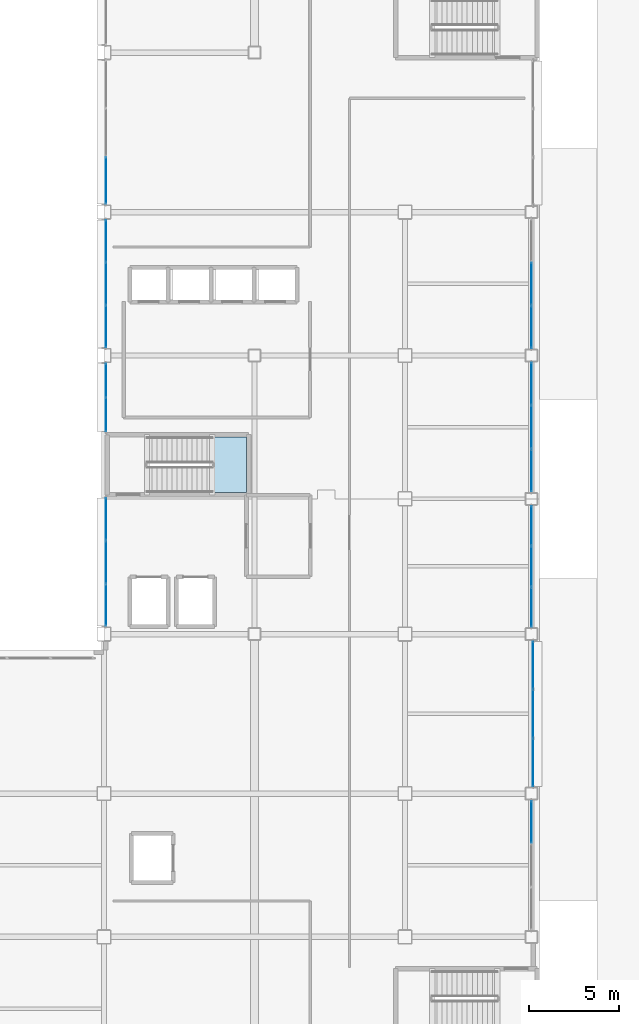
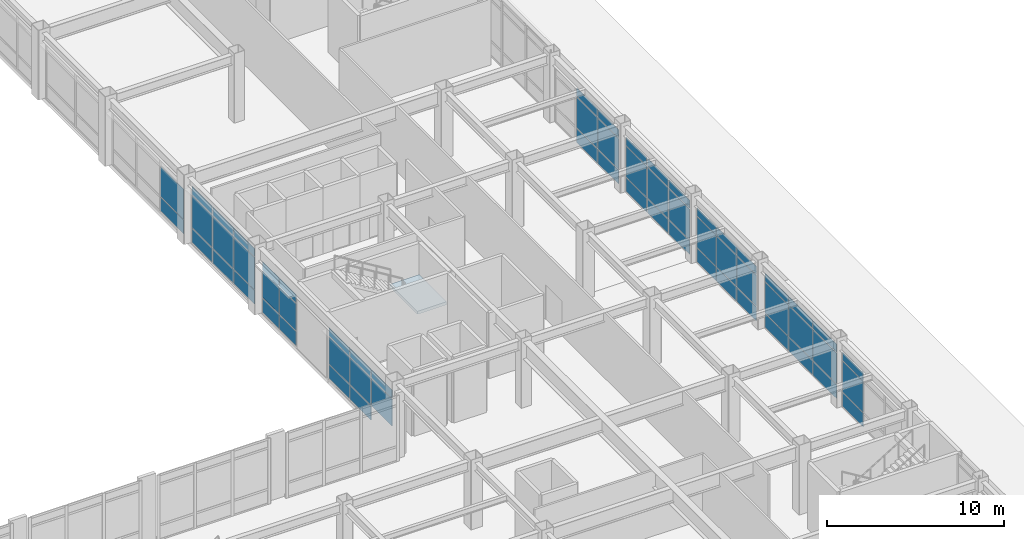
# One storey, part 136 of 172: 61 plates, 1 slab, 10 elements without a shape of their own.
"""IFC4 building model written with IfcOpenShell, lengths in metres."""

from ifc_helpers import new_model, si_unit, direction, frame, origin, origin_2d, place, context, subcontext, project, spatial, polyline, rectangle, outline, extrude, material, layer, layer_set, type_object, element, aggregate, save


model = new_model("IFC4")

# Units and contexts
model_context = context("Model", 3, precision=1e-05, world=origin(), true_north=direction((0.0, 1.0)))
body_context = subcontext(model_context, "Body", "Model", "MODEL_VIEW")
ifc_project = project(units=[si_unit("LENGTHUNIT", "METRE"), si_unit("AREAUNIT", "SQUARE_METRE"), si_unit("VOLUMEUNIT", "CUBIC_METRE"), si_unit("PLANEANGLEUNIT", "RADIAN"), si_unit("MASSUNIT", "GRAM", prefix="KILO")], contexts=[model_context])

# Site, building, storey
site_placement = place(None, origin())
site = spatial("IfcSite", under=ifc_project, at=site_placement, CompositionType="ELEMENT")
building_placement = place(site_placement, origin())
building = spatial("IfcBuilding", under=site, at=building_placement, Name="Kazehara Bluff Congress Hotel", CompositionType="ELEMENT")
storey_placement = place(building_placement, frame((0.0, 0.0, 5.39990234375)))
storey = spatial("IfcBuildingStorey", under=building, at=storey_placement, Name="L01", CompositionType="ELEMENT", Elevation=5.39990234375)

# Curtain wall, plates
ifc_material_1 = material(Name="Anodised aluminium", Category="aluminium")
ifc_layer_1 = layer(ifc_material_1, 0.159912109375)
ifc_layer_set_1 = layer_set([ifc_layer_1], Name="Anodised aluminium")
curtain_wall_type_1 = type_object("IfcCurtainWallType", Name="TP-CW-80", PredefinedType="NOTDEFINED", material=ifc_layer_set_1)
curtain_wall_1_placement = place(storey_placement, origin())
curtain_wall_1 = element("IfcCurtainWall", 1, at=curtain_wall_1_placement, inside=storey, type_object=curtain_wall_type_1, Name="L01 curtain wall CW-80 CW-V5-L01-X16755-2435", PredefinedType="NOTDEFINED")
ifc_material_2 = material(Name="Insulated low-E double glazing", Category="glass")
ifc_layer_2 = layer(ifc_material_2, 0.028076171875)
ifc_layer_set_2 = layer_set([ifc_layer_2], Name="Insulated low-E double glazing")
plate_type_1 = type_object("IfcPlateType", Name="TP-CWP-01", PredefinedType="CURTAIN_PANEL", material=ifc_layer_set_2)
plate_1_placement = place(storey_placement, frame((167.550048828125, 30.4169921875, 0.06494140625), z_axis=(0.0, 0.0, 1.0), x_axis=(0.0, 1.0, 0.0)))
plate_1 = element("IfcPlate", 2, at=plate_1_placement, type_object=plate_type_1, Name="CW-80 panel 3.1", PredefinedType="CURTAIN_PANEL", context=body_context, shape_type="SweptSolid", body=[
    extrude(rectangle(XDim=2.3359375, YDim=0.028076171875, at=origin_2d()), origin(), (0.0, 0.0, 1.0), 0.952392578125),
])
plate_2_placement = place(storey_placement, frame((167.550048828125, 30.4169921875, 1.08251953125), z_axis=(0.0, 0.0, 1.0), x_axis=(0.0, 1.0, 0.0)))
plate_2 = element("IfcPlate", 3, at=plate_2_placement, type_object=plate_type_1, Name="CW-80 panel 3.2", PredefinedType="CURTAIN_PANEL", context=body_context, shape_type="SweptSolid", body=[
    extrude(rectangle(XDim=2.3359375, YDim=0.028076171875, at=origin_2d()), origin(), (0.0, 0.0, 1.0), 2.110107421875),
])
plate_3_placement = place(storey_placement, frame((167.550048828125, 30.4169921875, 3.2578125), z_axis=(0.0, 0.0, 1.0), x_axis=(0.0, 1.0, 0.0)))
plate_3 = element("IfcPlate", 4, at=plate_3_placement, type_object=plate_type_1, Name="CW-80 panel 3.3", PredefinedType="CURTAIN_PANEL", context=body_context, shape_type="SweptSolid", body=[
    extrude(rectangle(XDim=2.3359375, YDim=0.028076171875, at=origin_2d()), origin(), (0.0, 0.0, 1.0), 0.552490234375),
])
aggregate(curtain_wall_1, [plate_1, plate_2, plate_3])

ifc_material_3 = material(Name="Anodised aluminium", Category="aluminium")
ifc_layer_3 = layer(ifc_material_3, 0.159912109375)
ifc_layer_set_3 = layer_set([ifc_layer_3], Name="Anodised aluminium")
curtain_wall_type_2 = type_object("IfcCurtainWallType", Name="TP-CW-83", PredefinedType="NOTDEFINED", material=ifc_layer_set_3)
curtain_wall_2_placement = place(storey_placement, origin())
curtain_wall_2 = element("IfcCurtainWall", 5, at=curtain_wall_2_placement, inside=storey, type_object=curtain_wall_type_2, Name="L01 curtain wall CW-83 CW-V5-L01-X16755-4125", PredefinedType="NOTDEFINED")
plate_4_placement = place(storey_placement, frame((167.550048828125, 42.407958984375, 0.06494140625), z_axis=(0.0, 0.0, 1.0), x_axis=(0.0, 1.0, 0.0)))
plate_4 = element("IfcPlate", 6, at=plate_4_placement, type_object=plate_type_1, Name="CW-83 panel 1.1", PredefinedType="CURTAIN_PANEL", context=body_context, shape_type="SweptSolid", body=[
    extrude(rectangle(XDim=2.185791015625, YDim=0.028076171875, at=origin_2d()), origin(), (0.0, 0.0, 1.0), 0.952392578125),
])
plate_5_placement = place(storey_placement, frame((167.550048828125, 42.407958984375, 1.08251953125), z_axis=(0.0, 0.0, 1.0), x_axis=(0.0, 1.0, 0.0)))
plate_5 = element("IfcPlate", 7, at=plate_5_placement, type_object=plate_type_1, Name="CW-83 panel 1.2", PredefinedType="CURTAIN_PANEL", context=body_context, shape_type="SweptSolid", body=[
    extrude(rectangle(XDim=2.185791015625, YDim=0.028076171875, at=origin_2d()), origin(), (0.0, 0.0, 1.0), 2.110107421875),
])
plate_6_placement = place(storey_placement, frame((167.550048828125, 42.407958984375, 3.2578125), z_axis=(0.0, 0.0, 1.0), x_axis=(0.0, 1.0, 0.0)))
plate_6 = element("IfcPlate", 8, at=plate_6_placement, type_object=plate_type_1, Name="CW-83 panel 1.3", PredefinedType="CURTAIN_PANEL", context=body_context, shape_type="SweptSolid", body=[
    extrude(rectangle(XDim=2.185791015625, YDim=0.028076171875, at=origin_2d()), origin(), (0.0, 0.0, 1.0), 0.552490234375),
])
plate_7_placement = place(storey_placement, frame((167.550048828125, 44.675048828125, 0.06494140625), z_axis=(0.0, 0.0, 1.0), x_axis=(0.0, 1.0, 0.0)))
plate_7 = element("IfcPlate", 9, at=plate_7_placement, type_object=plate_type_1, Name="CW-83 panel 2.1", PredefinedType="CURTAIN_PANEL", context=body_context, shape_type="SweptSolid", body=[
    extrude(rectangle(XDim=2.21826171875, YDim=0.028076171875, at=origin_2d()), origin(), (0.0, 0.0, 1.0), 0.952392578125),
])
plate_8_placement = place(storey_placement, frame((167.550048828125, 44.675048828125, 1.08251953125), z_axis=(0.0, 0.0, 1.0), x_axis=(0.0, 1.0, 0.0)))
plate_8 = element("IfcPlate", 10, at=plate_8_placement, type_object=plate_type_1, Name="CW-83 panel 2.2", PredefinedType="CURTAIN_PANEL", context=body_context, shape_type="SweptSolid", body=[
    extrude(rectangle(XDim=2.21826171875, YDim=0.028076171875, at=origin_2d()), origin(), (0.0, 0.0, 1.0), 2.110107421875),
])
plate_9_placement = place(storey_placement, frame((167.550048828125, 44.675048828125, 3.2578125), z_axis=(0.0, 0.0, 1.0), x_axis=(0.0, 1.0, 0.0)))
plate_9 = element("IfcPlate", 11, at=plate_9_placement, type_object=plate_type_1, Name="CW-83 panel 2.3", PredefinedType="CURTAIN_PANEL", context=body_context, shape_type="SweptSolid", body=[
    extrude(rectangle(XDim=2.21826171875, YDim=0.028076171875, at=origin_2d()), origin(), (0.0, 0.0, 1.0), 0.552490234375),
])
plate_10_placement = place(storey_placement, frame((167.550048828125, 46.942138671875, 0.06494140625), z_axis=(0.0, 0.0, 1.0), x_axis=(0.0, 1.0, 0.0)))
plate_10 = element("IfcPlate", 12, at=plate_10_placement, type_object=plate_type_1, Name="CW-83 panel 3.1", PredefinedType="CURTAIN_PANEL", context=body_context, shape_type="SweptSolid", body=[
    extrude(rectangle(XDim=2.185791015625, YDim=0.028076171875, at=origin_2d()), origin(), (0.0, 0.0, 1.0), 0.952392578125),
])
plate_11_placement = place(storey_placement, frame((167.550048828125, 46.942138671875, 1.08251953125), z_axis=(0.0, 0.0, 1.0), x_axis=(0.0, 1.0, 0.0)))
plate_11 = element("IfcPlate", 13, at=plate_11_placement, type_object=plate_type_1, Name="CW-83 panel 3.2", PredefinedType="CURTAIN_PANEL", context=body_context, shape_type="SweptSolid", body=[
    extrude(rectangle(XDim=2.185791015625, YDim=0.028076171875, at=origin_2d()), origin(), (0.0, 0.0, 1.0), 2.110107421875),
])
plate_12_placement = place(storey_placement, frame((167.550048828125, 46.942138671875, 3.2578125), z_axis=(0.0, 0.0, 1.0), x_axis=(0.0, 1.0, 0.0)))
plate_12 = element("IfcPlate", 14, at=plate_12_placement, type_object=plate_type_1, Name="CW-83 panel 3.3", PredefinedType="CURTAIN_PANEL", context=body_context, shape_type="SweptSolid", body=[
    extrude(rectangle(XDim=2.185791015625, YDim=0.028076171875, at=origin_2d()), origin(), (0.0, 0.0, 1.0), 0.552490234375),
])
aggregate(curtain_wall_2, [plate_4, plate_5, plate_6, plate_7, plate_8, plate_9, plate_10, plate_11, plate_12])

curtain_wall_3_placement = place(storey_placement, origin())
curtain_wall_3 = element("IfcCurtainWall", 15, at=curtain_wall_3_placement, inside=storey, type_object=curtain_wall_type_1, Name="L01 curtain wall CW-80 CW-V5-L01-X16755-4880", PredefinedType="NOTDEFINED")
plate_13_placement = place(storey_placement, frame((167.550048828125, 50.032958984375, 0.06494140625), z_axis=(0.0, 0.0, 1.0), x_axis=(0.0, 1.0, 0.0)))
plate_13 = element("IfcPlate", 16, at=plate_13_placement, type_object=plate_type_1, Name="CW-80 panel 1.1", PredefinedType="CURTAIN_PANEL", context=body_context, shape_type="SweptSolid", body=[
    extrude(rectangle(XDim=2.3359375, YDim=0.028076171875, at=origin_2d()), origin(), (0.0, 0.0, 1.0), 0.952392578125),
])
plate_14_placement = place(storey_placement, frame((167.550048828125, 50.032958984375, 1.08251953125), z_axis=(0.0, 0.0, 1.0), x_axis=(0.0, 1.0, 0.0)))
plate_14 = element("IfcPlate", 17, at=plate_14_placement, type_object=plate_type_1, Name="CW-80 panel 1.2", PredefinedType="CURTAIN_PANEL", context=body_context, shape_type="SweptSolid", body=[
    extrude(rectangle(XDim=2.3359375, YDim=0.028076171875, at=origin_2d()), origin(), (0.0, 0.0, 1.0), 2.110107421875),
])
plate_15_placement = place(storey_placement, frame((167.550048828125, 50.032958984375, 3.2578125), z_axis=(0.0, 0.0, 1.0), x_axis=(0.0, 1.0, 0.0)))
plate_15 = element("IfcPlate", 18, at=plate_15_placement, type_object=plate_type_1, Name="CW-80 panel 1.3", PredefinedType="CURTAIN_PANEL", context=body_context, shape_type="SweptSolid", body=[
    extrude(rectangle(XDim=2.3359375, YDim=0.028076171875, at=origin_2d()), origin(), (0.0, 0.0, 1.0), 0.552490234375),
])
plate_16_placement = place(storey_placement, frame((167.550048828125, 52.449951171875, 0.06494140625), z_axis=(0.0, 0.0, 1.0), x_axis=(0.0, 1.0, 0.0)))
plate_16 = element("IfcPlate", 19, at=plate_16_placement, type_object=plate_type_1, Name="CW-80 panel 2.1", PredefinedType="CURTAIN_PANEL", context=body_context, shape_type="SweptSolid", body=[
    extrude(rectangle(XDim=2.368408203125, YDim=0.028076171875, at=origin_2d()), origin(), (0.0, 0.0, 1.0), 0.952392578125),
])
plate_17_placement = place(storey_placement, frame((167.550048828125, 52.449951171875, 1.08251953125), z_axis=(0.0, 0.0, 1.0), x_axis=(0.0, 1.0, 0.0)))
plate_17 = element("IfcPlate", 20, at=plate_17_placement, type_object=plate_type_1, Name="CW-80 panel 2.2", PredefinedType="CURTAIN_PANEL", context=body_context, shape_type="SweptSolid", body=[
    extrude(rectangle(XDim=2.368408203125, YDim=0.028076171875, at=origin_2d()), origin(), (0.0, 0.0, 1.0), 2.110107421875),
])
plate_18_placement = place(storey_placement, frame((167.550048828125, 52.449951171875, 3.2578125), z_axis=(0.0, 0.0, 1.0), x_axis=(0.0, 1.0, 0.0)))
plate_18 = element("IfcPlate", 21, at=plate_18_placement, type_object=plate_type_1, Name="CW-80 panel 2.3", PredefinedType="CURTAIN_PANEL", context=body_context, shape_type="SweptSolid", body=[
    extrude(rectangle(XDim=2.368408203125, YDim=0.028076171875, at=origin_2d()), origin(), (0.0, 0.0, 1.0), 0.552490234375),
])
plate_19_placement = place(storey_placement, frame((167.550048828125, 54.8671875, 0.06494140625), z_axis=(0.0, 0.0, 1.0), x_axis=(0.0, 1.0, 0.0)))
plate_19 = element("IfcPlate", 22, at=plate_19_placement, type_object=plate_type_1, Name="CW-80 panel 3.1", PredefinedType="CURTAIN_PANEL", context=body_context, shape_type="SweptSolid", body=[
    extrude(rectangle(XDim=2.3359375, YDim=0.028076171875, at=origin_2d()), origin(), (0.0, 0.0, 1.0), 0.952392578125),
])
plate_20_placement = place(storey_placement, frame((167.550048828125, 54.8671875, 1.08251953125), z_axis=(0.0, 0.0, 1.0), x_axis=(0.0, 1.0, 0.0)))
plate_20 = element("IfcPlate", 23, at=plate_20_placement, type_object=plate_type_1, Name="CW-80 panel 3.2", PredefinedType="CURTAIN_PANEL", context=body_context, shape_type="SweptSolid", body=[
    extrude(rectangle(XDim=2.3359375, YDim=0.028076171875, at=origin_2d()), origin(), (0.0, 0.0, 1.0), 2.110107421875),
])
plate_21_placement = place(storey_placement, frame((167.550048828125, 54.8671875, 3.2578125), z_axis=(0.0, 0.0, 1.0), x_axis=(0.0, 1.0, 0.0)))
plate_21 = element("IfcPlate", 24, at=plate_21_placement, type_object=plate_type_1, Name="CW-80 panel 3.3", PredefinedType="CURTAIN_PANEL", context=body_context, shape_type="SweptSolid", body=[
    extrude(rectangle(XDim=2.3359375, YDim=0.028076171875, at=origin_2d()), origin(), (0.0, 0.0, 1.0), 0.552490234375),
])
aggregate(curtain_wall_3, [plate_13, plate_14, plate_15, plate_16, plate_17, plate_18, plate_19, plate_20, plate_21])

curtain_wall_4_placement = place(storey_placement, origin())
curtain_wall_4 = element("IfcCurtainWall", 25, at=curtain_wall_4_placement, inside=storey, type_object=curtain_wall_type_1, Name="L01 curtain wall CW-80 CW-V5-L01-X16755-5680", PredefinedType="NOTDEFINED")
plate_22_placement = place(storey_placement, frame((167.550048828125, 58.032958984375, 0.06494140625), z_axis=(0.0, 0.0, 1.0), x_axis=(0.0, 1.0, 0.0)))
plate_22 = element("IfcPlate", 26, at=plate_22_placement, type_object=plate_type_1, Name="CW-80 panel 1.1", PredefinedType="CURTAIN_PANEL", context=body_context, shape_type="SweptSolid", body=[
    extrude(rectangle(XDim=2.3359375, YDim=0.028076171875, at=origin_2d()), origin(), (0.0, 0.0, 1.0), 0.952392578125),
])
plate_23_placement = place(storey_placement, frame((167.550048828125, 58.032958984375, 1.08251953125), z_axis=(0.0, 0.0, 1.0), x_axis=(0.0, 1.0, 0.0)))
plate_23 = element("IfcPlate", 27, at=plate_23_placement, type_object=plate_type_1, Name="CW-80 panel 1.2", PredefinedType="CURTAIN_PANEL", context=body_context, shape_type="SweptSolid", body=[
    extrude(rectangle(XDim=2.3359375, YDim=0.028076171875, at=origin_2d()), origin(), (0.0, 0.0, 1.0), 2.110107421875),
])
plate_24_placement = place(storey_placement, frame((167.550048828125, 58.032958984375, 3.2578125), z_axis=(0.0, 0.0, 1.0), x_axis=(0.0, 1.0, 0.0)))
plate_24 = element("IfcPlate", 28, at=plate_24_placement, type_object=plate_type_1, Name="CW-80 panel 1.3", PredefinedType="CURTAIN_PANEL", context=body_context, shape_type="SweptSolid", body=[
    extrude(rectangle(XDim=2.3359375, YDim=0.028076171875, at=origin_2d()), origin(), (0.0, 0.0, 1.0), 0.552490234375),
])
plate_25_placement = place(storey_placement, frame((167.550048828125, 60.449951171875, 0.06494140625), z_axis=(0.0, 0.0, 1.0), x_axis=(0.0, 1.0, 0.0)))
plate_25 = element("IfcPlate", 29, at=plate_25_placement, type_object=plate_type_1, Name="CW-80 panel 2.1", PredefinedType="CURTAIN_PANEL", context=body_context, shape_type="SweptSolid", body=[
    extrude(rectangle(XDim=2.368408203125, YDim=0.028076171875, at=origin_2d()), origin(), (0.0, 0.0, 1.0), 0.952392578125),
])
plate_26_placement = place(storey_placement, frame((167.550048828125, 60.449951171875, 1.08251953125), z_axis=(0.0, 0.0, 1.0), x_axis=(0.0, 1.0, 0.0)))
plate_26 = element("IfcPlate", 30, at=plate_26_placement, type_object=plate_type_1, Name="CW-80 panel 2.2", PredefinedType="CURTAIN_PANEL", context=body_context, shape_type="SweptSolid", body=[
    extrude(rectangle(XDim=2.368408203125, YDim=0.028076171875, at=origin_2d()), origin(), (0.0, 0.0, 1.0), 2.110107421875),
])
plate_27_placement = place(storey_placement, frame((167.550048828125, 60.449951171875, 3.2578125), z_axis=(0.0, 0.0, 1.0), x_axis=(0.0, 1.0, 0.0)))
plate_27 = element("IfcPlate", 31, at=plate_27_placement, type_object=plate_type_1, Name="CW-80 panel 2.3", PredefinedType="CURTAIN_PANEL", context=body_context, shape_type="SweptSolid", body=[
    extrude(rectangle(XDim=2.368408203125, YDim=0.028076171875, at=origin_2d()), origin(), (0.0, 0.0, 1.0), 0.552490234375),
])
aggregate(curtain_wall_4, [plate_22, plate_23, plate_24, plate_25, plate_26, plate_27])

ifc_material_4 = material(Name="Anodised aluminium", Category="aluminium")
ifc_layer_4 = layer(ifc_material_4, 0.159912109375)
ifc_layer_set_4 = layer_set([ifc_layer_4], Name="Anodised aluminium")
curtain_wall_type_3 = type_object("IfcCurtainWallType", Name="TP-CW-114", PredefinedType="NOTDEFINED", material=ifc_layer_set_4)
curtain_wall_5_placement = place(storey_placement, origin())
curtain_wall_5 = element("IfcCurtainWall", 32, at=curtain_wall_5_placement, inside=storey, type_object=curtain_wall_type_3, Name="L01 curtain wall CW-114 CW-ENC-V5-L01-16765-3645", PredefinedType="NOTDEFINED")
plate_28_placement = place(storey_placement, frame((167.64990234375, 39.1669921875, 0.06494140625), z_axis=(0.0, 0.0, 1.0), x_axis=(0.0, -1.0, 0.0)))
plate_28 = element("IfcPlate", 33, at=plate_28_placement, type_object=plate_type_1, Name="CW-114 panel 1.1", PredefinedType="CURTAIN_PANEL", context=body_context, shape_type="SweptSolid", body=[
    extrude(rectangle(XDim=2.6357421875, YDim=0.028076171875, at=origin_2d()), origin(), (0.0, 0.0, 1.0), 0.952392578125),
])
plate_29_placement = place(storey_placement, frame((167.64990234375, 39.1669921875, 1.08251953125), z_axis=(0.0, 0.0, 1.0), x_axis=(0.0, -1.0, 0.0)))
plate_29 = element("IfcPlate", 34, at=plate_29_placement, type_object=plate_type_1, Name="CW-114 panel 1.2", PredefinedType="CURTAIN_PANEL", context=body_context, shape_type="SweptSolid", body=[
    extrude(rectangle(XDim=2.6357421875, YDim=0.028076171875, at=origin_2d()), origin(), (0.0, 0.0, 1.0), 2.110107421875),
])
plate_30_placement = place(storey_placement, frame((167.64990234375, 39.1669921875, 3.2578125), z_axis=(0.0, 0.0, 1.0), x_axis=(0.0, -1.0, 0.0)))
plate_30 = element("IfcPlate", 35, at=plate_30_placement, type_object=plate_type_1, Name="CW-114 panel 1.3", PredefinedType="CURTAIN_PANEL", context=body_context, shape_type="SweptSolid", body=[
    extrude(rectangle(XDim=2.6357421875, YDim=0.028076171875, at=origin_2d()), origin(), (0.0, 0.0, 1.0), 0.552490234375),
])
plate_31_placement = place(storey_placement, frame((167.64990234375, 36.449951171875, 0.06494140625), z_axis=(0.0, 0.0, 1.0), x_axis=(0.0, -1.0, 0.0)))
plate_31 = element("IfcPlate", 36, at=plate_31_placement, type_object=plate_type_1, Name="CW-114 panel 2.1", PredefinedType="CURTAIN_PANEL", context=body_context, shape_type="SweptSolid", body=[
    extrude(rectangle(XDim=2.668212890625, YDim=0.028076171875, at=origin_2d()), origin(), (0.0, 0.0, 1.0), 0.952392578125),
])
plate_32_placement = place(storey_placement, frame((167.64990234375, 36.449951171875, 1.08251953125), z_axis=(0.0, 0.0, 1.0), x_axis=(0.0, -1.0, 0.0)))
plate_32 = element("IfcPlate", 37, at=plate_32_placement, type_object=plate_type_1, Name="CW-114 panel 2.2", PredefinedType="CURTAIN_PANEL", context=body_context, shape_type="SweptSolid", body=[
    extrude(rectangle(XDim=2.668212890625, YDim=0.028076171875, at=origin_2d()), origin(), (0.0, 0.0, 1.0), 2.110107421875),
])
plate_33_placement = place(storey_placement, frame((167.64990234375, 36.449951171875, 3.2578125), z_axis=(0.0, 0.0, 1.0), x_axis=(0.0, -1.0, 0.0)))
plate_33 = element("IfcPlate", 38, at=plate_33_placement, type_object=plate_type_1, Name="CW-114 panel 2.3", PredefinedType="CURTAIN_PANEL", context=body_context, shape_type="SweptSolid", body=[
    extrude(rectangle(XDim=2.668212890625, YDim=0.028076171875, at=origin_2d()), origin(), (0.0, 0.0, 1.0), 0.552490234375),
])
plate_34_placement = place(storey_placement, frame((167.64990234375, 33.73291015625, 0.06494140625), z_axis=(0.0, 0.0, 1.0), x_axis=(0.0, -1.0, 0.0)))
plate_34 = element("IfcPlate", 39, at=plate_34_placement, type_object=plate_type_1, Name="CW-114 panel 3.1", PredefinedType="CURTAIN_PANEL", context=body_context, shape_type="SweptSolid", body=[
    extrude(rectangle(XDim=2.6357421875, YDim=0.028076171875, at=origin_2d()), origin(), (0.0, 0.0, 1.0), 0.952392578125),
])
plate_35_placement = place(storey_placement, frame((167.64990234375, 33.73291015625, 1.08251953125), z_axis=(0.0, 0.0, 1.0), x_axis=(0.0, -1.0, 0.0)))
plate_35 = element("IfcPlate", 40, at=plate_35_placement, type_object=plate_type_1, Name="CW-114 panel 3.2", PredefinedType="CURTAIN_PANEL", context=body_context, shape_type="SweptSolid", body=[
    extrude(rectangle(XDim=2.6357421875, YDim=0.028076171875, at=origin_2d()), origin(), (0.0, 0.0, 1.0), 2.110107421875),
])
plate_36_placement = place(storey_placement, frame((167.64990234375, 33.73291015625, 3.2578125), z_axis=(0.0, 0.0, 1.0), x_axis=(0.0, -1.0, 0.0)))
plate_36 = element("IfcPlate", 41, at=plate_36_placement, type_object=plate_type_1, Name="CW-114 panel 3.3", PredefinedType="CURTAIN_PANEL", context=body_context, shape_type="SweptSolid", body=[
    extrude(rectangle(XDim=2.6357421875, YDim=0.028076171875, at=origin_2d()), origin(), (0.0, 0.0, 1.0), 0.552490234375),
])
aggregate(curtain_wall_5, [plate_28, plate_29, plate_30, plate_31, plate_32, plate_33, plate_34, plate_35, plate_36])

ifc_material_5 = material(Name="Anodised aluminium", Category="aluminium")
ifc_layer_5 = layer(ifc_material_5, 0.159912109375)
ifc_layer_set_5 = layer_set([ifc_layer_5], Name="Anodised aluminium")
curtain_wall_type_4 = type_object("IfcCurtainWallType", Name="TP-CW-118", PredefinedType="NOTDEFINED", material=ifc_layer_set_5)
curtain_wall_6_placement = place(storey_placement, origin())
curtain_wall_6 = element("IfcCurtainWall", 42, at=curtain_wall_6_placement, inside=storey, type_object=curtain_wall_type_4, Name="L01 curtain wall CW-118 CW-ENC-V5-L01-14380-4492", PredefinedType="NOTDEFINED")
plate_37_placement = place(storey_placement, frame((143.800048828125, 42.52294921875, 1.08251953125), z_axis=(0.0, 0.0, 1.0), x_axis=(0.0, 1.0, 0.0)))
plate_37 = element("IfcPlate", 43, at=plate_37_placement, type_object=plate_type_1, Name="CW-118 panel 1.2", PredefinedType="CURTAIN_PANEL", context=body_context, shape_type="SweptSolid", body=[
    extrude(rectangle(XDim=2.31591796875, YDim=0.028076171875, at=origin_2d()), origin(), (0.0, 0.0, 1.0), 1.860107421875),
])
plate_38_placement = place(storey_placement, frame((143.800048828125, 42.52294921875, 3.0078125), z_axis=(0.0, 0.0, 1.0), x_axis=(0.0, 1.0, 0.0)))
plate_38 = element("IfcPlate", 44, at=plate_38_placement, type_object=plate_type_1, Name="CW-118 panel 1.3", PredefinedType="CURTAIN_PANEL", context=body_context, shape_type="SweptSolid", body=[
    extrude(rectangle(XDim=2.31591796875, YDim=0.028076171875, at=origin_2d()), origin(), (0.0, 0.0, 1.0), 0.552490234375),
])
plate_39_placement = place(storey_placement, frame((143.800048828125, 44.919921875, 0.06494140625), z_axis=(0.0, 0.0, 1.0), x_axis=(0.0, 1.0, 0.0)))
plate_39 = element("IfcPlate", 45, at=plate_39_placement, type_object=plate_type_1, Name="CW-118 panel 2.1", PredefinedType="CURTAIN_PANEL", context=body_context, shape_type="SweptSolid", body=[
    extrude(rectangle(XDim=2.348388671875, YDim=0.028076171875, at=origin_2d()), origin(), (0.0, 0.0, 1.0), 0.952392578125),
])
plate_40_placement = place(storey_placement, frame((143.800048828125, 44.919921875, 1.08251953125), z_axis=(0.0, 0.0, 1.0), x_axis=(0.0, 1.0, 0.0)))
plate_40 = element("IfcPlate", 46, at=plate_40_placement, type_object=plate_type_1, Name="CW-118 panel 2.2", PredefinedType="CURTAIN_PANEL", context=body_context, shape_type="SweptSolid", body=[
    extrude(rectangle(XDim=2.348388671875, YDim=0.028076171875, at=origin_2d()), origin(), (0.0, 0.0, 1.0), 1.860107421875),
])
plate_41_placement = place(storey_placement, frame((143.800048828125, 44.919921875, 3.0078125), z_axis=(0.0, 0.0, 1.0), x_axis=(0.0, 1.0, 0.0)))
plate_41 = element("IfcPlate", 47, at=plate_41_placement, type_object=plate_type_1, Name="CW-118 panel 2.3", PredefinedType="CURTAIN_PANEL", context=body_context, shape_type="SweptSolid", body=[
    extrude(rectangle(XDim=2.348388671875, YDim=0.028076171875, at=origin_2d()), origin(), (0.0, 0.0, 1.0), 0.552490234375),
])
plate_42_placement = place(storey_placement, frame((143.800048828125, 47.317138671875, 0.06494140625), z_axis=(0.0, 0.0, 1.0), x_axis=(0.0, 1.0, 0.0)))
plate_42 = element("IfcPlate", 48, at=plate_42_placement, type_object=plate_type_1, Name="CW-118 panel 3.1", PredefinedType="CURTAIN_PANEL", context=body_context, shape_type="SweptSolid", body=[
    extrude(rectangle(XDim=2.31591796875, YDim=0.028076171875, at=origin_2d()), origin(), (0.0, 0.0, 1.0), 0.952392578125),
])
plate_43_placement = place(storey_placement, frame((143.800048828125, 47.317138671875, 1.08251953125), z_axis=(0.0, 0.0, 1.0), x_axis=(0.0, 1.0, 0.0)))
plate_43 = element("IfcPlate", 49, at=plate_43_placement, type_object=plate_type_1, Name="CW-118 panel 3.2", PredefinedType="CURTAIN_PANEL", context=body_context, shape_type="SweptSolid", body=[
    extrude(rectangle(XDim=2.31591796875, YDim=0.028076171875, at=origin_2d()), origin(), (0.0, 0.0, 1.0), 1.860107421875),
])
plate_44_placement = place(storey_placement, frame((143.800048828125, 47.317138671875, 3.0078125), z_axis=(0.0, 0.0, 1.0), x_axis=(0.0, 1.0, 0.0)))
plate_44 = element("IfcPlate", 50, at=plate_44_placement, type_object=plate_type_1, Name="CW-118 panel 3.3", PredefinedType="CURTAIN_PANEL", context=body_context, shape_type="SweptSolid", body=[
    extrude(rectangle(XDim=2.31591796875, YDim=0.028076171875, at=origin_2d()), origin(), (0.0, 0.0, 1.0), 0.552490234375),
])
aggregate(curtain_wall_6, [plate_37, plate_38, plate_39, plate_40, plate_41, plate_42, plate_43, plate_44])

ifc_material_6 = material(Name="Anodised aluminium", Category="aluminium")
ifc_layer_6 = layer(ifc_material_6, 0.159912109375)
ifc_layer_set_6 = layer_set([ifc_layer_6], Name="Anodised aluminium")
curtain_wall_type_5 = type_object("IfcCurtainWallType", Name="TP-CW-120", PredefinedType="NOTDEFINED", material=ifc_layer_set_6)
curtain_wall_7_placement = place(storey_placement, origin())
curtain_wall_7 = element("IfcCurtainWall", 51, at=curtain_wall_7_placement, inside=storey, type_object=curtain_wall_type_5, Name="L01 curtain wall CW-120 CW-ENC-V5-L01-14380-6045", PredefinedType="NOTDEFINED")
plate_45_placement = place(storey_placement, frame((143.800048828125, 58.066162109375, 0.06494140625), z_axis=(0.0, 0.0, 1.0), x_axis=(0.0, 1.0, 0.0)))
plate_45 = element("IfcPlate", 52, at=plate_45_placement, type_object=plate_type_1, Name="CW-120 panel 1.1", PredefinedType="CURTAIN_PANEL", context=body_context, shape_type="SweptSolid", body=[
    extrude(rectangle(XDim=2.302490234375, YDim=0.028076171875, at=origin_2d()), origin(), (0.0, 0.0, 1.0), 0.952392578125),
])
plate_46_placement = place(storey_placement, frame((143.800048828125, 58.066162109375, 1.08251953125), z_axis=(0.0, 0.0, 1.0), x_axis=(0.0, 1.0, 0.0)))
plate_46 = element("IfcPlate", 53, at=plate_46_placement, type_object=plate_type_1, Name="CW-120 panel 1.2", PredefinedType="CURTAIN_PANEL", context=body_context, shape_type="SweptSolid", body=[
    extrude(rectangle(XDim=2.302490234375, YDim=0.028076171875, at=origin_2d()), origin(), (0.0, 0.0, 1.0), 2.2099609375),
])
plate_47_placement = place(storey_placement, frame((143.800048828125, 58.066162109375, 3.357421875), z_axis=(0.0, 0.0, 1.0), x_axis=(0.0, 1.0, 0.0)))
plate_47 = element("IfcPlate", 54, at=plate_47_placement, type_object=plate_type_1, Name="CW-120 panel 1.3", PredefinedType="CURTAIN_PANEL", context=body_context, shape_type="SweptSolid", body=[
    extrude(rectangle(XDim=2.302490234375, YDim=0.028076171875, at=origin_2d()), origin(), (0.0, 0.0, 1.0), 0.552490234375),
])
plate_48_placement = place(storey_placement, frame((143.800048828125, 60.449951171875, 0.06494140625), z_axis=(0.0, 0.0, 1.0), x_axis=(0.0, 1.0, 0.0)))
plate_48 = element("IfcPlate", 55, at=plate_48_placement, type_object=plate_type_1, Name="CW-120 panel 2.1", PredefinedType="CURTAIN_PANEL", context=body_context, shape_type="SweptSolid", body=[
    extrude(rectangle(XDim=2.3349609375, YDim=0.028076171875, at=origin_2d()), origin(), (0.0, 0.0, 1.0), 0.952392578125),
])
plate_49_placement = place(storey_placement, frame((143.800048828125, 60.449951171875, 1.08251953125), z_axis=(0.0, 0.0, 1.0), x_axis=(0.0, 1.0, 0.0)))
plate_49 = element("IfcPlate", 56, at=plate_49_placement, type_object=plate_type_1, Name="CW-120 panel 2.2", PredefinedType="CURTAIN_PANEL", context=body_context, shape_type="SweptSolid", body=[
    extrude(rectangle(XDim=2.3349609375, YDim=0.028076171875, at=origin_2d()), origin(), (0.0, 0.0, 1.0), 2.2099609375),
])
plate_50_placement = place(storey_placement, frame((143.800048828125, 60.449951171875, 3.357421875), z_axis=(0.0, 0.0, 1.0), x_axis=(0.0, 1.0, 0.0)))
plate_50 = element("IfcPlate", 57, at=plate_50_placement, type_object=plate_type_1, Name="CW-120 panel 2.3", PredefinedType="CURTAIN_PANEL", context=body_context, shape_type="SweptSolid", body=[
    extrude(rectangle(XDim=2.3349609375, YDim=0.028076171875, at=origin_2d()), origin(), (0.0, 0.0, 1.0), 0.552490234375),
])
plate_51_placement = place(storey_placement, frame((143.800048828125, 62.833740234375, 0.06494140625), z_axis=(0.0, 0.0, 1.0), x_axis=(0.0, 1.0, 0.0)))
plate_51 = element("IfcPlate", 58, at=plate_51_placement, type_object=plate_type_1, Name="CW-120 panel 3.1", PredefinedType="CURTAIN_PANEL", context=body_context, shape_type="SweptSolid", body=[
    extrude(rectangle(XDim=2.302490234375, YDim=0.028076171875, at=origin_2d()), origin(), (0.0, 0.0, 1.0), 0.952392578125),
])
plate_52_placement = place(storey_placement, frame((143.800048828125, 62.833740234375, 1.08251953125), z_axis=(0.0, 0.0, 1.0), x_axis=(0.0, 1.0, 0.0)))
plate_52 = element("IfcPlate", 59, at=plate_52_placement, type_object=plate_type_1, Name="CW-120 panel 3.2", PredefinedType="CURTAIN_PANEL", context=body_context, shape_type="SweptSolid", body=[
    extrude(rectangle(XDim=2.302490234375, YDim=0.028076171875, at=origin_2d()), origin(), (0.0, 0.0, 1.0), 2.2099609375),
])
plate_53_placement = place(storey_placement, frame((143.800048828125, 62.833740234375, 3.357421875), z_axis=(0.0, 0.0, 1.0), x_axis=(0.0, 1.0, 0.0)))
plate_53 = element("IfcPlate", 60, at=plate_53_placement, type_object=plate_type_1, Name="CW-120 panel 3.3", PredefinedType="CURTAIN_PANEL", context=body_context, shape_type="SweptSolid", body=[
    extrude(rectangle(XDim=2.302490234375, YDim=0.028076171875, at=origin_2d()), origin(), (0.0, 0.0, 1.0), 0.552490234375),
])
aggregate(curtain_wall_7, [plate_45, plate_46, plate_47, plate_48, plate_49, plate_50, plate_51, plate_52, plate_53])

ifc_material_7 = material(Name="Anodised aluminium", Category="aluminium")
ifc_layer_7 = layer(ifc_material_7, 0.159912109375)
ifc_layer_set_7 = layer_set([ifc_layer_7], Name="Anodised aluminium")
curtain_wall_type_6 = type_object("IfcCurtainWallType", Name="TP-CW-121", PredefinedType="NOTDEFINED", material=ifc_layer_set_7)
curtain_wall_8_placement = place(storey_placement, origin())
curtain_wall_8 = element("IfcCurtainWall", 61, at=curtain_wall_8_placement, inside=storey, type_object=curtain_wall_type_6, Name="L01 curtain wall CW-121 CW-ENC-V5-L01-14380-6890", PredefinedType="NOTDEFINED")
plate_54_placement = place(storey_placement, frame((143.800048828125, 66.21630859375, 0.06494140625), z_axis=(0.0, 0.0, 1.0), x_axis=(0.0, 1.0, 0.0)))
plate_54 = element("IfcPlate", 62, at=plate_54_placement, type_object=plate_type_1, Name="CW-121 panel 1.1", PredefinedType="CURTAIN_PANEL", context=body_context, shape_type="SweptSolid", body=[
    extrude(rectangle(XDim=2.6025390625, YDim=0.028076171875, at=origin_2d()), origin(), (0.0, 0.0, 1.0), 0.952392578125),
])
plate_55_placement = place(storey_placement, frame((143.800048828125, 66.21630859375, 1.08251953125), z_axis=(0.0, 0.0, 1.0), x_axis=(0.0, 1.0, 0.0)))
plate_55 = element("IfcPlate", 63, at=plate_55_placement, type_object=plate_type_1, Name="CW-121 panel 1.2", PredefinedType="CURTAIN_PANEL", context=body_context, shape_type="SweptSolid", body=[
    extrude(rectangle(XDim=2.6025390625, YDim=0.028076171875, at=origin_2d()), origin(), (0.0, 0.0, 1.0), 2.06005859375),
])
aggregate(curtain_wall_8, [plate_54, plate_55])

ifc_material_8 = material(Name="Anodised aluminium", Category="aluminium")
ifc_layer_8 = layer(ifc_material_8, 0.159912109375)
ifc_layer_set_8 = layer_set([ifc_layer_8], Name="Anodised aluminium")
curtain_wall_type_7 = type_object("IfcCurtainWallType", Name="TP-CW-119", PredefinedType="NOTDEFINED", material=ifc_layer_set_8)
curtain_wall_9_placement = place(storey_placement, origin())
curtain_wall_9 = element("IfcCurtainWall", 64, at=curtain_wall_9_placement, inside=storey, type_object=curtain_wall_type_7, Name="L01 curtain wall CW-119 CW-ENC-V5-L01-14380-5410", PredefinedType="NOTDEFINED")
ifc_material_9 = material(Name="Insulated low-E double glazing", Category="glass")
ifc_layer_9 = layer(ifc_material_9, 0.02001953125)
ifc_layer_set_9 = layer_set([ifc_layer_9], Name="Insulated low-E double glazing")
plate_type_2 = type_object("IfcPlateType", Name="TP-CWP-03", PredefinedType="CURTAIN_PANEL", material=ifc_layer_set_9)
plate_56_placement = place(storey_placement, frame((143.800048828125, 53.1474609375, 0.06005859375), z_axis=(0.0, 0.0, 1.0), x_axis=(0.0, 1.0, 0.0)))
plate_56 = element("IfcPlate", 65, at=plate_56_placement, type_object=plate_type_2, Name="CW-119 panel 1.1", PredefinedType="CURTAIN_PANEL", context=body_context, shape_type="SweptSolid", body=[
    extrude(rectangle(XDim=1.85498046875, YDim=0.02001953125, at=origin_2d()), origin(), (0.0, 0.0, 1.0), 0.9599609375),
])
plate_57_placement = place(storey_placement, frame((143.800048828125, 53.1474609375, 1.080078125), z_axis=(0.0, 0.0, 1.0), x_axis=(0.0, 1.0, 0.0)))
plate_57 = element("IfcPlate", 66, at=plate_57_placement, type_object=plate_type_2, Name="CW-119 panel 1.2", PredefinedType="CURTAIN_PANEL", context=body_context, shape_type="SweptSolid", body=[
    extrude(rectangle(XDim=1.85498046875, YDim=0.02001953125, at=origin_2d()), origin(), (0.0, 0.0, 1.0), 1.864990234375),
])
plate_58_placement = place(storey_placement, frame((143.800048828125, 53.1474609375, 3.005126953125), z_axis=(0.0, 0.0, 1.0), x_axis=(0.0, 1.0, 0.0)))
plate_58 = element("IfcPlate", 67, at=plate_58_placement, type_object=plate_type_2, Name="CW-119 panel 1.3", PredefinedType="CURTAIN_PANEL", context=body_context, shape_type="SweptSolid", body=[
    extrude(rectangle(XDim=1.85498046875, YDim=0.02001953125, at=origin_2d()), origin(), (0.0, 0.0, 1.0), 0.56005859375),
])
plate_59_placement = place(storey_placement, frame((143.800048828125, 55.0625, 0.06005859375), z_axis=(0.0, 0.0, 1.0), x_axis=(0.0, 1.0, 0.0)))
plate_59 = element("IfcPlate", 68, at=plate_59_placement, type_object=plate_type_2, Name="CW-119 panel 2.1", PredefinedType="CURTAIN_PANEL", context=body_context, shape_type="SweptSolid", body=[
    extrude(rectangle(XDim=1.85498046875, YDim=0.02001953125, at=origin_2d()), origin(), (0.0, 0.0, 1.0), 0.9599609375),
])
plate_60_placement = place(storey_placement, frame((143.800048828125, 55.0625, 1.080078125), z_axis=(0.0, 0.0, 1.0), x_axis=(0.0, 1.0, 0.0)))
plate_60 = element("IfcPlate", 69, at=plate_60_placement, type_object=plate_type_2, Name="CW-119 panel 2.2", PredefinedType="CURTAIN_PANEL", context=body_context, shape_type="SweptSolid", body=[
    extrude(rectangle(XDim=1.85498046875, YDim=0.02001953125, at=origin_2d()), origin(), (0.0, 0.0, 1.0), 1.864990234375),
])
plate_61_placement = place(storey_placement, frame((143.800048828125, 55.0625, 3.005126953125), z_axis=(0.0, 0.0, 1.0), x_axis=(0.0, 1.0, 0.0)))
plate_61 = element("IfcPlate", 70, at=plate_61_placement, type_object=plate_type_2, Name="CW-119 panel 2.3", PredefinedType="CURTAIN_PANEL", context=body_context, shape_type="SweptSolid", body=[
    extrude(rectangle(XDim=1.85498046875, YDim=0.02001953125, at=origin_2d()), origin(), (0.0, 0.0, 1.0), 0.56005859375),
])
aggregate(curtain_wall_9, [plate_56, plate_57, plate_58, plate_59, plate_60, plate_61])

# Stair, slab
ifc_material_10 = material(Name="Concrete C36/45", Category="concrete")
stair_type = type_object("IfcStairType", Name="TP-ST-T04", PredefinedType="HALF_TURN_STAIR", material=ifc_material_10)
stair_placement = place(storey_placement, origin())
stair = element("IfcStair", 71, at=stair_placement, inside=storey, type_object=stair_type, Name="L01 Escape stair ST-11", PredefinedType="HALF_TURN_STAIR")
ifc_material_11 = material(Name="Concrete C36/45", Category="concrete")
ifc_layer_10 = layer(ifc_material_11, 0.199951171875)
ifc_layer_set_10 = layer_set([ifc_layer_10], Name="Concrete C36/45")
slab_type = type_object("IfcSlabType", Name="TP-SLD-200", PredefinedType="LANDING", material=ifc_layer_set_10)
slab_placement = place(storey_placement, frame((0.0, 0.0, 2.2001953125)))
slab = element("IfcSlab", 72, at=slab_placement, type_object=slab_type, Name="ST-11 landing 1", PredefinedType="LANDING", context=body_context, shape_type="SweptSolid", body=[
    extrude(outline(polyline([(149.739990234375, 48.800048828125), (151.64990234375, 48.800048828125), (151.64990234375, 51.89990234375), (149.739990234375, 51.89990234375), (149.739990234375, 48.800048828125)])), origin(), (0.0, 0.0, 1.0), 0.199951171875),
])
aggregate(stair, [slab])

save(model, "model.ifc")
